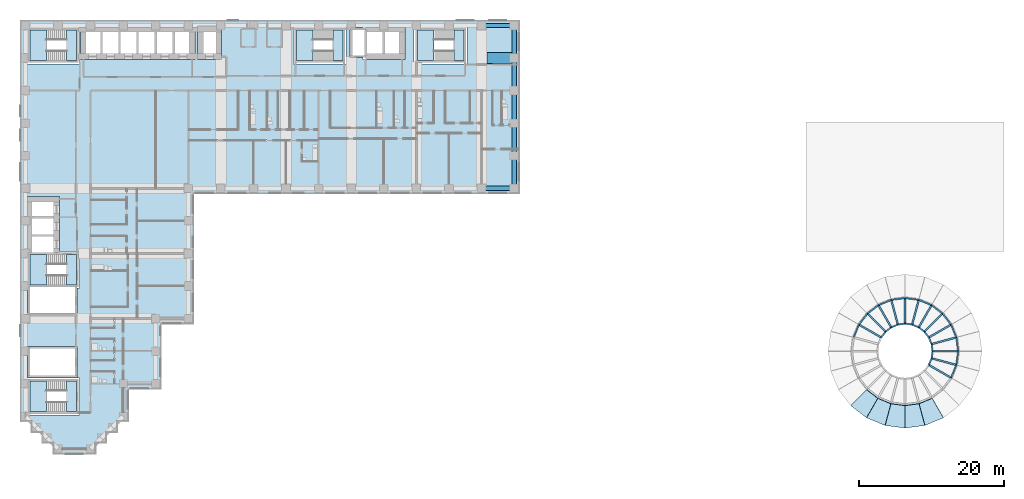
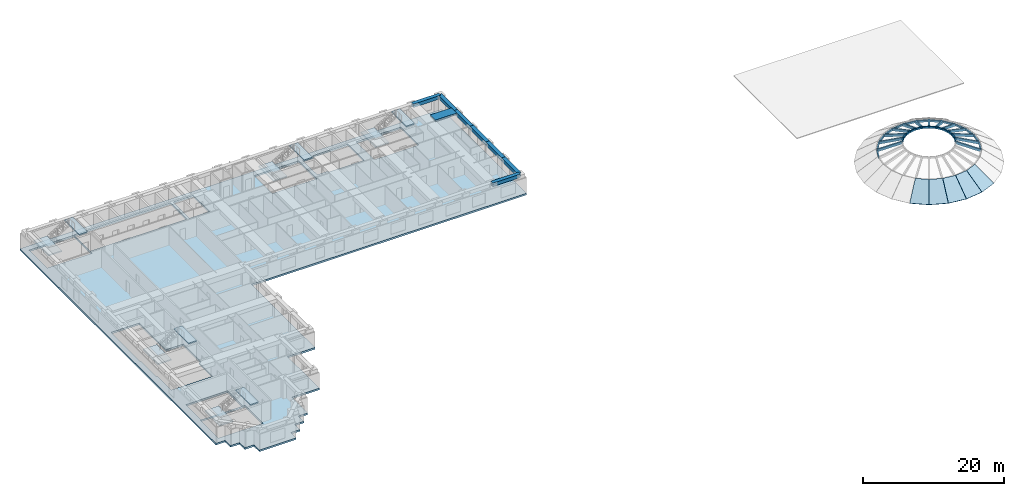
# One storey, part 2 of 14: 46 beams, 16 slabs, 5 elements without a shape of their own.
"""IFC4 building model written with IfcOpenShell, lengths in metres."""

from ifc_helpers import new_model, si_unit, direction, frame, origin, origin_2d, place, context, subcontext, project, spatial, polyline, rectangle, hollow_rectangle, outline, extrude, material, layer, layer_set, material_profile, profile_set, type_object, element, aggregate, save


model = new_model("IFC4")

# Units and contexts
model_context = context("Model", 3, precision=1e-05, world=origin(), true_north=direction((0.0, 1.0)))
body_context = subcontext(model_context, "Body", "Model", "MODEL_VIEW")
ifc_project = project(units=[si_unit("LENGTHUNIT", "METRE"), si_unit("AREAUNIT", "SQUARE_METRE"), si_unit("VOLUMEUNIT", "CUBIC_METRE"), si_unit("PLANEANGLEUNIT", "RADIAN"), si_unit("MASSUNIT", "GRAM", prefix="KILO")], contexts=[model_context])

# Site, building, storey
site_placement = place(None, origin())
site = spatial("IfcSite", under=ifc_project, at=site_placement, CompositionType="ELEMENT")
building_placement = place(site_placement, origin())
building = spatial("IfcBuilding", under=site, at=building_placement, Name="Firuza Court", CompositionType="ELEMENT")
storey_placement = place(building_placement, frame((0.0, 0.0, 32.60009765625)))
storey = spatial("IfcBuildingStorey", under=building, at=storey_placement, Name="L06", CompositionType="ELEMENT", Elevation=32.60009765625)

# Beams
ifc_material_1 = material(Name="Concrete C40/50", Category="concrete")
ifc_material_profile_1 = material_profile(ifc_material_1, rectangle(XDim=1.5, YDim=0.300048828125, at=origin_2d()), Name="RC 1500x300")
ifc_profile_set_1 = profile_set([ifc_material_profile_1], Name="Concrete C40/50")
beam_type_1 = type_object("IfcBeamType", Name="Band beam RC 1500x300 C40/50", PredefinedType="BEAM", material=ifc_profile_set_1)
beam_1_placement = place(storey_placement, frame((67.5, 54.0, 3.14990234375), z_axis=(-1.0, 0.0, 0.0), x_axis=(0.0, -1.0, 0.0)))
element("IfcBeam", 1, at=beam_1_placement, inside=storey, type_object=beam_type_1, Name="Band beam FB6 level L07", PredefinedType="BEAM", context=body_context, shape_type="SweptSolid", body=[
    extrude(rectangle(XDim=1.5, YDim=0.300048828125, at=origin_2d()), origin(), (0.0, 0.0, 1.0), 3.75),
])
ifc_material_2 = material(Name="Steel S355", Category="steel")
ifc_material_profile_2 = material_profile(ifc_material_2, hollow_rectangle(XDim=0.25, YDim=0.39990234375, WallThickness=0.01611328125, at=origin_2d()), Name="RHS 400X250X16")
ifc_profile_set_2 = profile_set([ifc_material_profile_2], Name="Steel S355")
beam_type_2 = type_object("IfcBeamType", Name="DOME RIB 250X400", PredefinedType="BEAM", material=ifc_profile_set_2)
beam_2_placement = place(storey_placement, frame((128.83154296875, 13.5, 1.9697265625), z_axis=(-0.93136050351, 0.0, 0.364098355533), x_axis=(0.0, -1.0, 0.0)))
element("IfcBeam", 2, at=beam_2_placement, inside=storey, type_object=beam_type_2, Name="RIB 1.3", PredefinedType="BEAM", context=body_context, shape_type="SweptSolid", body=[
    extrude(hollow_rectangle(XDim=0.25, YDim=0.39990234375, WallThickness=0.01611328125, at=origin_2d()), origin(), (0.0, 0.0, 1.0), 3.79248046875),
])
beam_3_placement = place(storey_placement, frame((128.58154296875, 15.3974609375, 1.9697265625), z_axis=(-0.899620997816, -0.24103198911, 0.364123111754), x_axis=(0.258798277302, -0.965931390765, 0.0)))
element("IfcBeam", 3, at=beam_3_placement, inside=storey, type_object=beam_type_2, Name="RIB 2.3", PredefinedType="BEAM", context=body_context, shape_type="SweptSolid", body=[
    extrude(hollow_rectangle(XDim=0.25, YDim=0.39990234375, WallThickness=0.01611328125, at=origin_2d()), origin(), (0.0, 0.0, 1.0), 3.792236328125),
])
for number, where, z_axis, x_axis, name in (
    (4, (127.84912109375, 17.165771484375, 1.9697265625), (-0.806567109693, -0.465696102763, 0.364110748857), (0.500019620354, -0.866014075672, 0.0), "RIB 3.3"),
    (5, (126.68408203125, 18.68408203125, 1.9697265625), (-0.65856773557, -0.65856773557, 0.364111350184), (0.707106781187, -0.707106781187, 0.0), "RIB 4.3"),
    (6, (125.165771484375, 19.84912109375, 1.9697265625), (-0.465696102763, -0.806567109693, 0.364110748857), (0.866014075672, -0.500019620354, 0.0), "RIB 5.3"),
):
    element("IfcBeam", number, at=place(storey_placement, frame(where, z_axis=z_axis, x_axis=x_axis)), inside=storey, type_object=beam_type_2, Name=name, PredefinedType="BEAM", context=body_context, shape_type="SweptSolid", body=[
        extrude(hollow_rectangle(XDim=0.25, YDim=0.39990234375, WallThickness=0.01611328125, at=origin_2d()), origin(), (0.0, 0.0, 1.0), 3.79248046875),
    ])
beam_4_placement = place(storey_placement, frame((123.3974609375, 20.58154296875, 1.9697265625), z_axis=(-0.24103198911, -0.899620997816, 0.364123111754), x_axis=(0.965931390765, -0.258798277302, 0.0)))
element("IfcBeam", 7, at=beam_4_placement, inside=storey, type_object=beam_type_2, Name="RIB 6.3", PredefinedType="BEAM", context=body_context, shape_type="SweptSolid", body=[
    extrude(hollow_rectangle(XDim=0.25, YDim=0.39990234375, WallThickness=0.01611328125, at=origin_2d()), origin(), (0.0, 0.0, 1.0), 3.792236328125),
])
beam_5_placement = place(storey_placement, frame((121.5, 20.83154296875, 1.9697265625), z_axis=(0.0, -0.93136050351, 0.364098355533), x_axis=(1.0, 0.0, 0.0)))
element("IfcBeam", 8, at=beam_5_placement, inside=storey, type_object=beam_type_2, Name="RIB 7.3", PredefinedType="BEAM", context=body_context, shape_type="SweptSolid", body=[
    extrude(hollow_rectangle(XDim=0.25, YDim=0.39990234375, WallThickness=0.01611328125, at=origin_2d()), origin(), (0.0, 0.0, 1.0), 3.79248046875),
])
beam_6_placement = place(storey_placement, frame((119.6025390625, 20.58154296875, 1.9697265625), z_axis=(0.24103198911, -0.899620997816, 0.364123111754), x_axis=(0.965931390765, 0.258798277302, 0.0)))
element("IfcBeam", 9, at=beam_6_placement, inside=storey, type_object=beam_type_2, Name="RIB 8.3", PredefinedType="BEAM", context=body_context, shape_type="SweptSolid", body=[
    extrude(hollow_rectangle(XDim=0.25, YDim=0.39990234375, WallThickness=0.01611328125, at=origin_2d()), origin(), (0.0, 0.0, 1.0), 3.792236328125),
])
for number, where, z_axis, x_axis, name in (
    (10, (117.834228515625, 19.84912109375, 1.9697265625), (0.465696102763, -0.806567109693, 0.364110748857), (0.866014075672, 0.500019620354, 0.0), "RIB 9.3"),
    (11, (116.31591796875, 18.68408203125, 1.9697265625), (0.65856773557, -0.65856773557, 0.364111350184), (0.707106781187, 0.707106781187, 0.0), "RIB 10.3"),
    (12, (115.15087890625, 17.165771484375, 1.9697265625), (0.806567109693, -0.465696102763, 0.364110748857), (0.500019620354, 0.866014075672, 0.0), "RIB 11.3"),
    (13, (127.84912109375, 9.834228515625, 1.9697265625), (-0.806567109693, 0.465696102763, 0.364110748857), (-0.500019620354, -0.866014075672, 0.0), "RIB 23.3"),
):
    element("IfcBeam", number, at=place(storey_placement, frame(where, z_axis=z_axis, x_axis=x_axis)), inside=storey, type_object=beam_type_2, Name=name, PredefinedType="BEAM", context=body_context, shape_type="SweptSolid", body=[
        extrude(hollow_rectangle(XDim=0.25, YDim=0.39990234375, WallThickness=0.01611328125, at=origin_2d()), origin(), (0.0, 0.0, 1.0), 3.79248046875),
    ])
beam_7_placement = place(storey_placement, frame((128.58154296875, 11.6025390625, 1.9697265625), z_axis=(-0.899620997816, 0.24103198911, 0.364123111754), x_axis=(-0.258798277302, -0.965931390765, 0.0)))
element("IfcBeam", 14, at=beam_7_placement, inside=storey, type_object=beam_type_2, Name="RIB 24.3", PredefinedType="BEAM", context=body_context, shape_type="SweptSolid", body=[
    extrude(hollow_rectangle(XDim=0.25, YDim=0.39990234375, WallThickness=0.01611328125, at=origin_2d()), origin(), (0.0, 0.0, 1.0), 3.792236328125),
])
ifc_material_3 = material(Name="Steel S355", Category="steel")
ifc_material_profile_3 = material_profile(ifc_material_3, hollow_rectangle(XDim=0.199951171875, YDim=0.300048828125, WallThickness=0.010009765625, at=origin_2d()), Name="RHS 300X200X10")
ifc_profile_set_3 = profile_set([ifc_material_profile_3], Name="Steel S355")
beam_type_3 = type_object("IfcBeamType", Name="DOME RING MEMBER 200X300", PredefinedType="BEAM", material=ifc_profile_set_3)
for number, where, z_axis, x_axis, name in (
    (15, (128.837890625, 13.53955078125, 1.96533203125), (-0.130509518677, 0.991447056345, 0.0), (-0.991447056345, -0.130509518677, 0.0), "Dome ring member 2.1"),
    (16, (128.577392578125, 15.4375, 1.96533203125), (-0.382660915668, 0.923888858911, 0.0), (-0.923888858911, -0.382660915668, 0.0), "Dome ring member 2.2"),
):
    element("IfcBeam", number, at=place(storey_placement, frame(where, z_axis=z_axis, x_axis=x_axis)), inside=storey, type_object=beam_type_3, Name=name, PredefinedType="BEAM", context=body_context, shape_type="SweptSolid", body=[
        extrude(hollow_rectangle(XDim=0.199951171875, YDim=0.300048828125, WallThickness=0.010009765625, at=origin_2d()), origin(), (0.0, 0.0, 1.0), 1.8369140625),
    ])
for number, where, z_axis, x_axis, name in (
    (17, (127.8349609375, 17.203125, 1.96533203125), (-0.608766270335, 0.793349625387, 0.0), (-0.793349625387, -0.608766270335, 0.0), "Dome ring member 2.3"),
    (18, (126.66064453125, 18.716552734375, 1.96533203125), (-0.793349625387, 0.608766270335, 0.0), (-0.608766270335, -0.793349625387, 0.0), "Dome ring member 2.4"),
):
    element("IfcBeam", number, at=place(storey_placement, frame(where, z_axis=z_axis, x_axis=x_axis)), inside=storey, type_object=beam_type_3, Name=name, PredefinedType="BEAM", context=body_context, shape_type="SweptSolid", body=[
        extrude(hollow_rectangle(XDim=0.199951171875, YDim=0.300048828125, WallThickness=0.010009765625, at=origin_2d()), origin(), (0.0, 0.0, 1.0), 1.837158203125),
    ])
for number, where, z_axis, x_axis, name in (
    (19, (125.134521484375, 19.87451171875, 1.96533203125), (-0.923888858911, 0.382660915668, 0.0), (-0.382660915668, -0.923888858911, 0.0), "Dome ring member 2.5"),
    (20, (123.36083984375, 20.59814453125, 1.96533203125), (-0.991447056345, 0.130509518677, 0.0), (-0.130509518677, -0.991447056345, 0.0), "Dome ring member 2.6"),
    (21, (121.46044921875, 20.837890625, 1.96533203125), (-0.991447056345, -0.130509518677, 0.0), (0.130509518677, -0.991447056345, 0.0), "Dome ring member 2.7"),
    (22, (119.5625, 20.577392578125, 1.96533203125), (-0.923888858911, -0.382660915668, 0.0), (0.382660915668, -0.923888858911, 0.0), "Dome ring member 2.8"),
):
    element("IfcBeam", number, at=place(storey_placement, frame(where, z_axis=z_axis, x_axis=x_axis)), inside=storey, type_object=beam_type_3, Name=name, PredefinedType="BEAM", context=body_context, shape_type="SweptSolid", body=[
        extrude(hollow_rectangle(XDim=0.199951171875, YDim=0.300048828125, WallThickness=0.010009765625, at=origin_2d()), origin(), (0.0, 0.0, 1.0), 1.8369140625),
    ])
for number, where, z_axis, x_axis, name in (
    (23, (117.796875, 19.8349609375, 1.96533203125), (-0.793349625387, -0.608766270335, 0.0), (0.608766270335, -0.793349625387, 0.0), "Dome ring member 2.9"),
    (24, (116.283447265625, 18.66064453125, 1.96533203125), (-0.608766270335, -0.793349625387, 0.0), (0.793349625387, -0.608766270335, 0.0), "Dome ring member 2.10"),
):
    element("IfcBeam", number, at=place(storey_placement, frame(where, z_axis=z_axis, x_axis=x_axis)), inside=storey, type_object=beam_type_3, Name=name, PredefinedType="BEAM", context=body_context, shape_type="SweptSolid", body=[
        extrude(hollow_rectangle(XDim=0.199951171875, YDim=0.300048828125, WallThickness=0.010009765625, at=origin_2d()), origin(), (0.0, 0.0, 1.0), 1.837158203125),
    ])
for number, where, z_axis, x_axis, name in (
    (25, (115.12548828125, 17.134521484375, 1.96533203125), (-0.382660915668, -0.923888858911, 0.0), (0.923888858911, -0.382660915668, 0.0), "Dome ring member 2.11"),
    (26, (127.87451171875, 9.865478515625, 1.96533203125), (0.382660915668, 0.923888858911, 0.0), (-0.923888858911, 0.382660915668, 0.0), "Dome ring member 2.23"),
    (27, (128.59814453125, 11.63916015625, 1.96533203125), (0.130509518677, 0.991447056345, 0.0), (-0.991447056345, 0.130509518677, 0.0), "Dome ring member 2.24"),
):
    element("IfcBeam", number, at=place(storey_placement, frame(where, z_axis=z_axis, x_axis=x_axis)), inside=storey, type_object=beam_type_3, Name=name, PredefinedType="BEAM", context=body_context, shape_type="SweptSolid", body=[
        extrude(hollow_rectangle(XDim=0.199951171875, YDim=0.300048828125, WallThickness=0.010009765625, at=origin_2d()), origin(), (0.0, 0.0, 1.0), 1.8369140625),
    ])
beam_8_placement = place(storey_placement, frame((125.282470703125, 13.53955078125, 3.35498046875), z_axis=(-0.13054484132, 0.991442405995, 0.0), x_axis=(-0.991442405995, -0.13054484132, 0.0)))
element("IfcBeam", 28, at=beam_8_placement, inside=storey, type_object=beam_type_3, Name="Dome ring member 3.1", PredefinedType="BEAM", context=body_context, shape_type="SweptSolid", body=[
    extrude(hollow_rectangle(XDim=0.199951171875, YDim=0.300048828125, WallThickness=0.010009765625, at=origin_2d()), origin(), (0.0, 0.0, 1.0), 0.908935546875),
])
beam_9_placement = place(storey_placement, frame((125.143310546875, 14.517333984375, 3.35498046875), z_axis=(-0.382573256594, 0.923925161114, 0.0), x_axis=(-0.923925161114, -0.382573256594, 0.0)))
element("IfcBeam", 29, at=beam_9_placement, inside=storey, type_object=beam_type_3, Name="Dome ring member 3.2", PredefinedType="BEAM", context=body_context, shape_type="SweptSolid", body=[
    extrude(hollow_rectangle(XDim=0.199951171875, YDim=0.300048828125, WallThickness=0.010009765625, at=origin_2d()), origin(), (0.0, 0.0, 1.0), 0.90869140625),
])
for number, where, z_axis, x_axis, name in (
    (30, (124.755859375, 15.425537109375, 3.35498046875), (-0.608645799361, 0.793442052654, 0.0), (-0.793442052654, -0.608645799361, 0.0), "Dome ring member 3.3"),
    (31, (124.146728515625, 16.20263671875, 3.35498046875), (-0.793442052654, 0.608645799361, 0.0), (-0.608645799361, -0.793442052654, 0.0), "Dome ring member 3.4"),
):
    element("IfcBeam", number, at=place(storey_placement, frame(where, z_axis=z_axis, x_axis=x_axis)), inside=storey, type_object=beam_type_3, Name=name, PredefinedType="BEAM", context=body_context, shape_type="SweptSolid", body=[
        extrude(hollow_rectangle(XDim=0.199951171875, YDim=0.300048828125, WallThickness=0.010009765625, at=origin_2d()), origin(), (0.0, 0.0, 1.0), 0.908935546875),
    ])
beam_10_placement = place(storey_placement, frame((123.35693359375, 16.795654296875, 3.35498046875), z_axis=(-0.923925161114, 0.382573256594, 0.0), x_axis=(-0.382573256594, -0.923925161114, 0.0)))
element("IfcBeam", 32, at=beam_10_placement, inside=storey, type_object=beam_type_3, Name="Dome ring member 3.5", PredefinedType="BEAM", context=body_context, shape_type="SweptSolid", body=[
    extrude(hollow_rectangle(XDim=0.199951171875, YDim=0.300048828125, WallThickness=0.010009765625, at=origin_2d()), origin(), (0.0, 0.0, 1.0), 0.90869140625),
])
for number, where, z_axis, x_axis, name in (
    (33, (122.440673828125, 17.163818359375, 3.35498046875), (-0.991442405995, 0.13054484132, 0.0), (-0.13054484132, -0.991442405995, 0.0), "Dome ring member 3.6"),
    (34, (121.46044921875, 17.282470703125, 3.35498046875), (-0.991442405995, -0.13054484132, 0.0), (0.13054484132, -0.991442405995, 0.0), "Dome ring member 3.7"),
):
    element("IfcBeam", number, at=place(storey_placement, frame(where, z_axis=z_axis, x_axis=x_axis)), inside=storey, type_object=beam_type_3, Name=name, PredefinedType="BEAM", context=body_context, shape_type="SweptSolid", body=[
        extrude(hollow_rectangle(XDim=0.199951171875, YDim=0.300048828125, WallThickness=0.010009765625, at=origin_2d()), origin(), (0.0, 0.0, 1.0), 0.908935546875),
    ])
beam_11_placement = place(storey_placement, frame((120.482666015625, 17.143310546875, 3.35498046875), z_axis=(-0.923925161114, -0.382573256594, 0.0), x_axis=(0.382573256594, -0.923925161114, 0.0)))
element("IfcBeam", 35, at=beam_11_placement, inside=storey, type_object=beam_type_3, Name="Dome ring member 3.8", PredefinedType="BEAM", context=body_context, shape_type="SweptSolid", body=[
    extrude(hollow_rectangle(XDim=0.199951171875, YDim=0.300048828125, WallThickness=0.010009765625, at=origin_2d()), origin(), (0.0, 0.0, 1.0), 0.90869140625),
])
for number, where, z_axis, x_axis, name in (
    (36, (119.574462890625, 16.755859375, 3.35498046875), (-0.793442052654, -0.608645799361, 0.0), (0.608645799361, -0.793442052654, 0.0), "Dome ring member 3.9"),
    (37, (118.79736328125, 16.146728515625, 3.35498046875), (-0.608645799361, -0.793442052654, 0.0), (0.793442052654, -0.608645799361, 0.0), "Dome ring member 3.10"),
):
    element("IfcBeam", number, at=place(storey_placement, frame(where, z_axis=z_axis, x_axis=x_axis)), inside=storey, type_object=beam_type_3, Name=name, PredefinedType="BEAM", context=body_context, shape_type="SweptSolid", body=[
        extrude(hollow_rectangle(XDim=0.199951171875, YDim=0.300048828125, WallThickness=0.010009765625, at=origin_2d()), origin(), (0.0, 0.0, 1.0), 0.908935546875),
    ])
beam_12_placement = place(storey_placement, frame((124.795654296875, 11.64306640625, 3.35498046875), z_axis=(0.382573256594, 0.923925161114, 0.0), x_axis=(-0.923925161114, 0.382573256594, 0.0)))
element("IfcBeam", 38, at=beam_12_placement, inside=storey, type_object=beam_type_3, Name="Dome ring member 3.23", PredefinedType="BEAM", context=body_context, shape_type="SweptSolid", body=[
    extrude(hollow_rectangle(XDim=0.199951171875, YDim=0.300048828125, WallThickness=0.010009765625, at=origin_2d()), origin(), (0.0, 0.0, 1.0), 0.90869140625),
])
beam_13_placement = place(storey_placement, frame((125.163818359375, 12.559326171875, 3.35498046875), z_axis=(0.13054484132, 0.991442405995, 0.0), x_axis=(-0.991442405995, 0.13054484132, 0.0)))
element("IfcBeam", 39, at=beam_13_placement, inside=storey, type_object=beam_type_3, Name="Dome ring member 3.24", PredefinedType="BEAM", context=body_context, shape_type="SweptSolid", body=[
    extrude(hollow_rectangle(XDim=0.199951171875, YDim=0.300048828125, WallThickness=0.010009765625, at=origin_2d()), origin(), (0.0, 0.0, 1.0), 0.908935546875),
])
ifc_material_4 = material(Name="Concrete C40/50", Category="concrete")
ifc_material_profile_4 = material_profile(ifc_material_4, rectangle(XDim=0.60009765625, YDim=0.60009765625, at=origin_2d()), Name="RC 600x600")
ifc_profile_set_4 = profile_set([ifc_material_profile_4], Name="Concrete C40/50")
beam_type_4 = type_object("IfcBeamType", Name="Spandrel beam RC 600x600 C40/50", PredefinedType="BEAM", material=ifc_profile_set_4)
for number, where, z_axis, x_axis, name in (
    (40, (63.0, 36.0, 3.0), (1.0, 0.0, 0.0), (0.0, 1.0, 0.0), "Spandrel beam SP11 level L07"),
    (41, (67.5, 36.0, 3.0), (0.0, 1.0, 0.0), (-1.0, 0.0, 0.0), "Spandrel beam SP11 level L07"),
    (42, (67.5, 40.5, 3.0), (0.0, 1.0, 0.0), (-1.0, 0.0, 0.0), "Spandrel beam SP11 level L07"),
    (43, (67.5, 45.0, 3.0), (0.0, 1.0, 0.0), (-1.0, 0.0, 0.0), "Spandrel beam SP11 level L07"),
    (44, (67.5, 49.5, 3.0), (0.0, 1.0, 0.0), (-1.0, 0.0, 0.0), "Spandrel beam SP11 level L07"),
    (45, (67.5, 54.0, 3.0), (0.0, 1.0, 0.0), (-1.0, 0.0, 0.0), "Spandrel beam SP11 level L07"),
    (46, (67.5, 58.5, 3.0), (-1.0, 0.0, 0.0), (0.0, -1.0, 0.0), "Spandrel beam SP11 level L07"),
):
    element("IfcBeam", number, at=place(storey_placement, frame(where, z_axis=z_axis, x_axis=x_axis)), inside=storey, type_object=beam_type_4, Name=name, PredefinedType="BEAM", context=body_context, shape_type="SweptSolid", body=[
        extrude(rectangle(XDim=0.60009765625, YDim=0.60009765625, at=origin_2d()), origin(), (0.0, 0.0, 1.0), 4.5),
    ])

# Slabs
ifc_material_5 = material(Name="Concrete C40/50", Category="concrete")
ifc_layer_1 = layer(ifc_material_5, 0.300048828125)
ifc_layer_set_1 = layer_set([ifc_layer_1], Name="Concrete C40/50")
slab_type_1 = type_object("IfcSlabType", Name="Floor slab 300 C40/50", PredefinedType="FLOOR", material=ifc_layer_set_1)
slab_1_placement = place(storey_placement, frame((0.0, 0.0, -0.300048828125)))
element("IfcSlab", 47, at=slab_1_placement, inside=storey, type_object=slab_type_1, Name="Floor slab L06", PredefinedType="FLOOR", context=body_context, shape_type="SweptSolid", body=[
    extrude(outline(polyline([(3.75, -0.75), (3.75, 0.75), (2.25, 0.75), (2.25, 2.25), (0.75, 2.25), (0.75, 3.75), (-0.75, 3.75), (-0.75, 59.25), (68.25, 59.25), (68.25, 35.25), (23.25, 35.25), (23.25, 17.25), (18.75, 17.25), (18.75, 8.25), (14.25, 8.25), (14.25, 3.75), (12.75, 3.75), (12.75, 2.25), (11.25, 2.25), (11.25, 0.75), (9.75, 0.75), (9.75, -0.75), (3.75, -0.75)]), holes=[polyline([(7.5, 9.800048828125), (0.199951171875, 9.800048828125), (0.199951171875, 4.699951171875), (7.5, 4.699951171875), (7.5, 9.800048828125)]), polyline([(7.14990234375, 14.14990234375), (0.35009765625, 14.14990234375), (0.35009765625, 9.85009765625), (7.14990234375, 9.85009765625), (7.14990234375, 14.14990234375)]), polyline([(0.199951171875, 22.199951171875), (0.35009765625, 22.199951171875), (0.35009765625, 18.35009765625), (7.14990234375, 18.35009765625), (7.14990234375, 22.199951171875), (7.5, 22.199951171875), (7.5, 27.300048828125), (4.699951171875, 27.300048828125), (4.699951171875, 29.10009765625), (4.699951171875, 29.89990234375), (4.699951171875, 31.60009765625), (4.699951171875, 32.39990234375), (4.699951171875, 34.89990234375), (0.10009765625, 34.89990234375), (0.10009765625, 32.39990234375), (0.10009765625, 31.60009765625), (0.10009765625, 29.89990234375), (0.10009765625, 29.10009765625), (0.10009765625, 26.60009765625), (0.199951171875, 26.60009765625), (0.199951171875, 22.199951171875)]), polyline([(7.5, 58.300048828125), (0.199951171875, 58.300048828125), (0.199951171875, 53.199951171875), (7.5, 53.199951171875), (7.5, 58.300048828125)]), polyline([(10.10009765625, 58.39990234375), (7.60009765625, 58.39990234375), (7.60009765625, 53.800048828125), (10.10009765625, 53.800048828125), (10.89990234375, 53.800048828125), (12.60009765625, 53.800048828125), (13.39990234375, 53.800048828125), (15.10009765625, 53.800048828125), (15.89990234375, 53.800048828125), (17.60009765625, 53.800048828125), (18.39990234375, 53.800048828125), (20.10009765625, 53.800048828125), (20.89990234375, 53.800048828125), (23.39990234375, 53.800048828125), (23.39990234375, 58.39990234375), (20.89990234375, 58.39990234375), (20.10009765625, 58.39990234375), (18.39990234375, 58.39990234375), (17.60009765625, 58.39990234375), (15.89990234375, 58.39990234375), (15.10009765625, 58.39990234375), (13.39990234375, 58.39990234375), (12.60009765625, 58.39990234375), (10.89990234375, 58.39990234375), (10.10009765625, 58.39990234375)]), polyline([(44.300048828125, 58.300048828125), (37.0, 58.300048828125), (37.0, 53.199951171875), (44.300048828125, 53.199951171875), (44.300048828125, 58.300048828125)]), polyline([(61.0, 58.300048828125), (53.699951171875, 58.300048828125), (53.699951171875, 53.199951171875), (61.0, 53.199951171875), (61.0, 58.300048828125)]), polyline([(27.10009765625, 58.39990234375), (23.800048828125, 58.39990234375), (23.800048828125, 53.800048828125), (27.10009765625, 53.800048828125), (27.10009765625, 58.39990234375)]), polyline([(46.60009765625, 58.14990234375), (44.85009765625, 58.14990234375), (44.85009765625, 54.050048828125), (46.60009765625, 54.050048828125), (46.60009765625, 53.800048828125), (49.10009765625, 53.800048828125), (49.89990234375, 53.800048828125), (52.39990234375, 53.800048828125), (52.39990234375, 58.39990234375), (49.89990234375, 58.39990234375), (49.10009765625, 58.39990234375), (46.60009765625, 58.39990234375), (46.60009765625, 58.14990234375)])]), origin(), (0.0, 0.0, 1.0), 0.300048828125),
])
ifc_material_6 = material(Name="Steel S355", Category="steel")
ifc_layer_2 = layer(ifc_material_6, 0.080078125)
ifc_material_7 = material(Name="Ceramic tile", Category="ceramic")
ifc_layer_3 = layer(ifc_material_7, 0.02001953125)
ifc_layer_set_2 = layer_set([ifc_layer_2, ifc_layer_3], Name="Steel S355")
slab_type_2 = type_object("IfcSlabType", Name="HALL DOME PANEL 100", PredefinedType="ROOF", material=ifc_layer_set_2)
slab_2_placement = place(storey_placement, frame((113.99462890625, 5.98388671875, -0.01220703125), z_axis=(-0.356247823098, -0.464257839017, 0.810895891868), x_axis=(0.57506833627, 0.575070853754, 0.581884801127)))
element("IfcSlab", 48, at=slab_2_placement, inside=storey, type_object=slab_type_2, Name="Dome roof panel 2.16", PredefinedType="ROOF", context=body_context, shape_type="SweptSolid", body=[
    extrude(outline(polyline([(0.0, 0.0), (3.817111664589067, -5.273559366969494e-16), (4.0239142614976355, -1.9362228306594251), (0.2925842529405297, -2.742172318840764), (0.0, 0.0)])), origin(), (0.0, 0.0, -1.0), 0.10009765625),
])
slab_3_placement = place(storey_placement, frame((116.19580078125, 4.29736328125, -0.01220703125), z_axis=(-0.223932280643, -0.540668609245, 0.810883338503), x_axis=(0.40659165472, 0.704324297844, 0.581902491641)))
element("IfcSlab", 49, at=slab_3_placement, inside=storey, type_object=slab_type_2, Name="Dome roof panel 2.17", PredefinedType="ROOF", context=body_context, shape_type="SweptSolid", body=[
    extrude(outline(polyline([(0.0, 0.0), (3.8171072231122345, 0.0), (4.02379085265644, -1.9362702593513446), (0.29264997600664944, -2.7419072735585988), (0.0, 0.0)])), origin(), (0.0, 0.0, -1.0), 0.10009765625),
])
slab_4_placement = place(storey_placement, frame((118.75830078125, 3.238037109375, -0.01220703125), z_axis=(-0.076367085606, -0.580177298079, 0.810902195724), x_axis=(0.210479059153, 0.785570024424, 0.581874816764)))
element("IfcSlab", 50, at=slab_4_placement, inside=storey, type_object=slab_type_2, Name="Dome roof panel 2.18", PredefinedType="ROOF", context=body_context, shape_type="SweptSolid", body=[
    extrude(outline(polyline([(0.0, 0.0), (3.8173194034654676, 2.7755575615628914e-17), (4.024030830309877, -1.9363177758633017), (0.29277948424093353, -2.7421256920160895), (0.0, 0.0)])), origin(), (0.0, 0.0, -1.0), 0.10009765625),
])
slab_5_placement = place(storey_placement, frame((121.507568359375, 2.878173828125, -0.01220703125), z_axis=(0.076367085606, -0.580177298079, 0.810902195724), x_axis=(-2.62058e-07, 0.813277140181, 0.581876527503)))
element("IfcSlab", 51, at=slab_5_placement, inside=storey, type_object=slab_type_2, Name="Dome roof panel 2.19", PredefinedType="ROOF", context=body_context, shape_type="SweptSolid", body=[
    extrude(outline(polyline([(0.0, 0.0), (3.8172716703525045, 2.7755575615628914e-17), (4.02396586726936, -1.9363196151651076), (0.2926678637294852, -2.7421376075512924), (0.0, 0.0)])), origin(), (0.0, 0.0, -1.0), 0.10009765625),
])
slab_6_placement = place(storey_placement, frame((124.256591796875, 3.2421875, -0.01220703125), z_axis=(0.223932280643, -0.540668609245, 0.810883338503), x_axis=(-0.210489375428, 0.785546268124, 0.581903156434)))
element("IfcSlab", 52, at=slab_6_placement, inside=storey, type_object=slab_type_2, Name="Dome roof panel 2.20", PredefinedType="ROOF", context=body_context, shape_type="SweptSolid", body=[
    extrude(outline(polyline([(0.0, 0.0), (3.817127616424129, 1.6653345369377348e-16), (4.0237660448386094, -1.936275083729707), (0.2926451021096259, -2.7419077937562903), (0.0, 0.0)])), origin(), (0.0, 0.0, -1.0), 0.10009765625),
])

# Stair, slabs
ifc_material_8 = material(Name="Concrete C40/50 precast", Category="concrete")
stair_type = type_object("IfcStairType", Name="Stair 1350 x 3600 2 flights", PredefinedType="HALF_TURN_STAIR", material=ifc_material_8)
stair_1_placement = place(storey_placement, origin())
stair_1 = element("IfcStair", 53, at=stair_1_placement, inside=storey, type_object=stair_type, Name="Stair 1 L06", PredefinedType="HALF_TURN_STAIR")
ifc_material_9 = material(Name="Concrete C40/50 precast", Category="concrete")
ifc_layer_4 = layer(ifc_material_9, 0.199951171875)
ifc_layer_set_3 = layer_set([ifc_layer_4], Name="Concrete C40/50 precast")
slab_type_3 = type_object("IfcSlabType", Name="Stair landing 200", PredefinedType="LANDING", material=ifc_layer_set_3)
slab_7_placement = place(storey_placement, frame((0.0, 0.0, 1.599853515625)))
slab_7 = element("IfcSlab", 54, at=slab_7_placement, type_object=slab_type_3, Name="S1 landing 1", PredefinedType="LANDING", context=body_context, shape_type="SweptSolid", body=[
    extrude(outline(polyline([(39.699951171875, 53.64990234375), (39.699951171875, 57.85009765625), (37.449951171875, 57.85009765625), (37.449951171875, 53.64990234375), (39.699951171875, 53.64990234375)])), origin(), (0.0, 0.0, 1.0), 0.199951171875),
])
slab_8_placement = place(storey_placement, frame((0.0, 0.0, 3.39990234375)))
slab_8 = element("IfcSlab", 55, at=slab_8_placement, type_object=slab_type_3, Name="S1 landing 2", PredefinedType="LANDING", context=body_context, shape_type="SweptSolid", body=[
    extrude(outline(polyline([(43.85009765625, 53.64990234375), (43.85009765625, 57.85009765625), (42.5, 57.85009765625), (42.5, 53.64990234375), (43.85009765625, 53.64990234375)])), origin(), (0.0, 0.0, 1.0), 0.199951171875),
])
aggregate(stair_1, [slab_7, slab_8])

stair_2_placement = place(storey_placement, origin())
stair_2 = element("IfcStair", 56, at=stair_2_placement, inside=storey, type_object=stair_type, Name="Stair 2 L06", PredefinedType="HALF_TURN_STAIR")
slab_9_placement = place(storey_placement, frame((0.0, 0.0, 1.599853515625)))
slab_9 = element("IfcSlab", 57, at=slab_9_placement, type_object=slab_type_3, Name="S2 landing 1", PredefinedType="LANDING", context=body_context, shape_type="SweptSolid", body=[
    extrude(outline(polyline([(2.89990234375, 22.64990234375), (2.89990234375, 26.85009765625), (0.64990234375, 26.85009765625), (0.64990234375, 22.64990234375), (2.89990234375, 22.64990234375)])), origin(), (0.0, 0.0, 1.0), 0.199951171875),
])
slab_10_placement = place(storey_placement, frame((0.0, 0.0, 3.39990234375)))
slab_10 = element("IfcSlab", 58, at=slab_10_placement, type_object=slab_type_3, Name="S2 landing 2", PredefinedType="LANDING", context=body_context, shape_type="SweptSolid", body=[
    extrude(outline(polyline([(7.050048828125, 22.64990234375), (7.050048828125, 26.85009765625), (5.699951171875, 26.85009765625), (5.699951171875, 22.64990234375), (7.050048828125, 22.64990234375)])), origin(), (0.0, 0.0, 1.0), 0.199951171875),
])
aggregate(stair_2, [slab_9, slab_10])

stair_3_placement = place(storey_placement, origin())
stair_3 = element("IfcStair", 59, at=stair_3_placement, inside=storey, type_object=stair_type, Name="Stair 3 L06", PredefinedType="HALF_TURN_STAIR")
slab_11_placement = place(storey_placement, frame((0.0, 0.0, 1.599853515625)))
slab_11 = element("IfcSlab", 60, at=slab_11_placement, type_object=slab_type_3, Name="S3 landing 1", PredefinedType="LANDING", context=body_context, shape_type="SweptSolid", body=[
    extrude(outline(polyline([(2.89990234375, 53.64990234375), (2.89990234375, 57.85009765625), (0.64990234375, 57.85009765625), (0.64990234375, 53.64990234375), (2.89990234375, 53.64990234375)])), origin(), (0.0, 0.0, 1.0), 0.199951171875),
])
slab_12_placement = place(storey_placement, frame((0.0, 0.0, 3.39990234375)))
slab_12 = element("IfcSlab", 61, at=slab_12_placement, type_object=slab_type_3, Name="S3 landing 2", PredefinedType="LANDING", context=body_context, shape_type="SweptSolid", body=[
    extrude(outline(polyline([(7.050048828125, 53.64990234375), (7.050048828125, 57.85009765625), (5.699951171875, 57.85009765625), (5.699951171875, 53.64990234375), (7.050048828125, 53.64990234375)])), origin(), (0.0, 0.0, 1.0), 0.199951171875),
])
aggregate(stair_3, [slab_11, slab_12])

stair_4_placement = place(storey_placement, origin())
stair_4 = element("IfcStair", 62, at=stair_4_placement, inside=storey, type_object=stair_type, Name="Stair 4 L06", PredefinedType="HALF_TURN_STAIR")
slab_13_placement = place(storey_placement, frame((0.0, 0.0, 1.599853515625)))
slab_13 = element("IfcSlab", 63, at=slab_13_placement, type_object=slab_type_3, Name="S4 landing 1", PredefinedType="LANDING", context=body_context, shape_type="SweptSolid", body=[
    extrude(outline(polyline([(56.39990234375, 53.64990234375), (56.39990234375, 57.85009765625), (54.14990234375, 57.85009765625), (54.14990234375, 53.64990234375), (56.39990234375, 53.64990234375)])), origin(), (0.0, 0.0, 1.0), 0.199951171875),
])
slab_14_placement = place(storey_placement, frame((0.0, 0.0, 3.39990234375)))
slab_14 = element("IfcSlab", 64, at=slab_14_placement, type_object=slab_type_3, Name="S4 landing 2", PredefinedType="LANDING", context=body_context, shape_type="SweptSolid", body=[
    extrude(outline(polyline([(60.550048828125, 53.64990234375), (60.550048828125, 57.85009765625), (59.199951171875, 57.85009765625), (59.199951171875, 53.64990234375), (60.550048828125, 53.64990234375)])), origin(), (0.0, 0.0, 1.0), 0.199951171875),
])
aggregate(stair_4, [slab_13, slab_14])

stair_5_placement = place(storey_placement, origin())
stair_5 = element("IfcStair", 65, at=stair_5_placement, inside=storey, type_object=stair_type, Name="Stair 5 L06", PredefinedType="HALF_TURN_STAIR")
slab_15_placement = place(storey_placement, frame((0.0, 0.0, 1.599853515625)))
slab_15 = element("IfcSlab", 66, at=slab_15_placement, type_object=slab_type_3, Name="S5 landing 1", PredefinedType="LANDING", context=body_context, shape_type="SweptSolid", body=[
    extrude(outline(polyline([(2.89990234375, 5.14990234375), (2.89990234375, 9.35009765625), (0.64990234375, 9.35009765625), (0.64990234375, 5.14990234375), (2.89990234375, 5.14990234375)])), origin(), (0.0, 0.0, 1.0), 0.199951171875),
])
slab_16_placement = place(storey_placement, frame((0.0, 0.0, 3.39990234375)))
slab_16 = element("IfcSlab", 67, at=slab_16_placement, type_object=slab_type_3, Name="S5 landing 2", PredefinedType="LANDING", context=body_context, shape_type="SweptSolid", body=[
    extrude(outline(polyline([(7.050048828125, 5.14990234375), (7.050048828125, 9.35009765625), (5.699951171875, 9.35009765625), (5.699951171875, 5.14990234375), (7.050048828125, 5.14990234375)])), origin(), (0.0, 0.0, 1.0), 0.199951171875),
])
aggregate(stair_5, [slab_15, slab_16])

save(model, "model.ifc")
